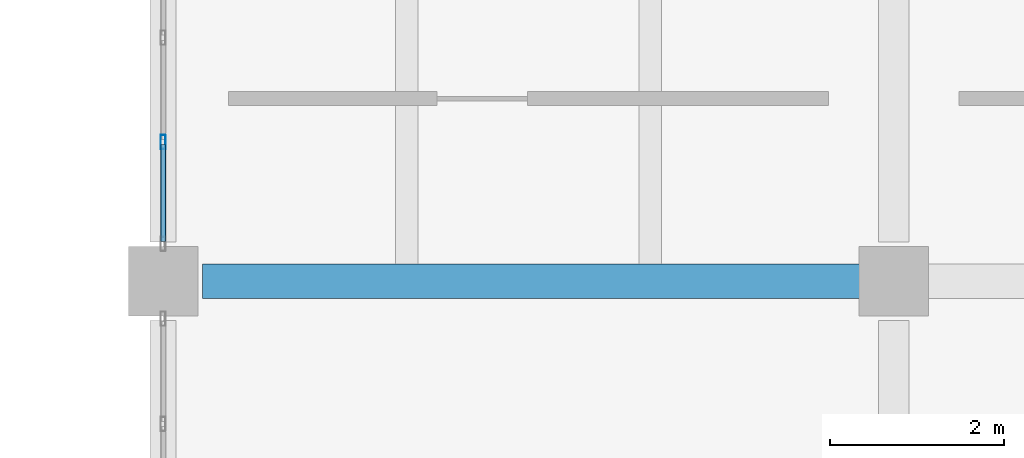
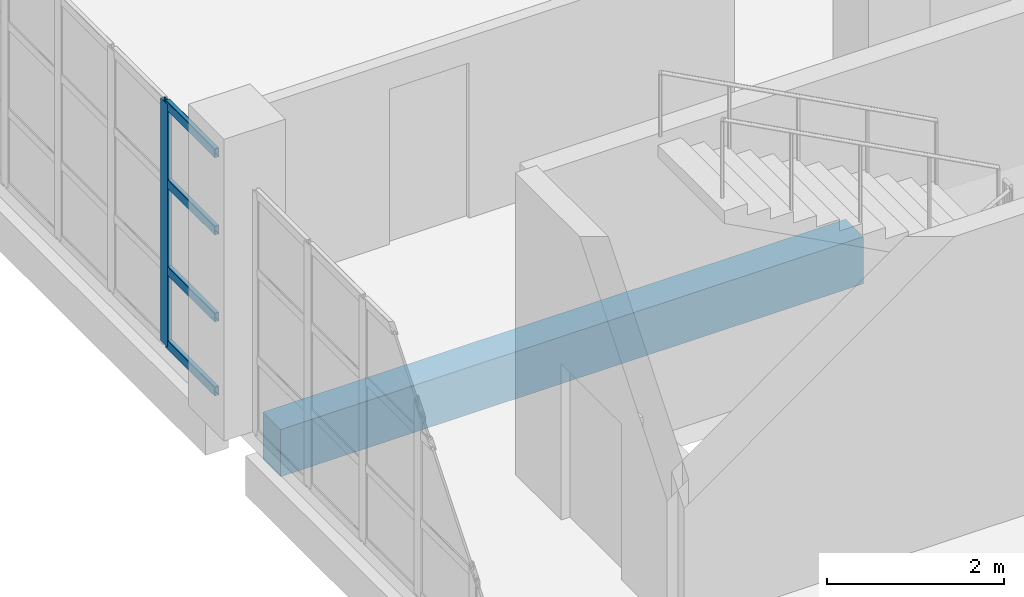
# One storey, part 16 of 177: 5 members, 1 beam, 1 element without a shape of its own.
"""IFC4 building model written with IfcOpenShell, lengths in metres."""

from ifc_helpers import new_model, si_unit, direction, frame, origin, origin_2d, place, context, subcontext, project, spatial, rectangle, hollow_rectangle, extrude, material, layer, layer_set, material_profile, profile_set, type_object, element, aggregate, save


model = new_model("IFC4")

# Units and contexts
model_context = context("Model", 3, precision=1e-05, world=origin(), true_north=direction((0.0, 1.0)))
body_context = subcontext(model_context, "Body", "Model", "MODEL_VIEW")
ifc_project = project(units=[si_unit("LENGTHUNIT", "METRE"), si_unit("AREAUNIT", "SQUARE_METRE"), si_unit("VOLUMEUNIT", "CUBIC_METRE"), si_unit("PLANEANGLEUNIT", "RADIAN"), si_unit("MASSUNIT", "GRAM", prefix="KILO"), si_unit("THERMODYNAMICTEMPERATUREUNIT", "KELVIN"), si_unit("POWERUNIT", "WATT")], contexts=[model_context])

# Site, building, storey
site_placement = place(None, origin())
site = spatial("IfcSite", under=ifc_project, at=site_placement, CompositionType="ELEMENT")
building_placement = place(site_placement, origin())
building = spatial("IfcBuilding", under=site, at=building_placement, Name="Mavoryth Pier Ferry Terminal", CompositionType="ELEMENT")
storey_placement = place(building_placement, frame((0.0, 0.0, 5.43994140625)))
storey = spatial("IfcBuildingStorey", under=building, at=storey_placement, Name="L01", CompositionType="ELEMENT", Elevation=5.43994140625)

# Beam
ifc_material_1 = material(Name="Concrete C35/45", Category="concrete")
ifc_material_profile_1 = material_profile(ifc_material_1, rectangle(XDim=0.39990234375, YDim=0.64990234375, at=origin_2d()), Name="RC 400x650", Category="concrete")
ifc_profile_set_1 = profile_set([ifc_material_profile_1], Name="Concrete C35/45 - RC 400x650")
beam_type = type_object("IfcBeamType", Name="Girder-RC-400x650", PredefinedType="BEAM", material=ifc_profile_set_1)
beam_placement = place(storey_placement, frame((42.449951171875, 14.0, -0.5849609375), z_axis=(1.0, 0.0, 0.0), x_axis=(0.0, 1.0, 0.0)))
element("IfcBeam", 1, at=beam_placement, inside=storey, type_object=beam_type, Name="Beam B01-BG05-0522", PredefinedType="BEAM", context=body_context, shape_type="SweptSolid", body=[
    extrude(rectangle(XDim=0.39990234375, YDim=0.64990234375, at=origin_2d()), origin(), (0.0, 0.0, 1.0), 7.60009765625),
])

# Curtain wall, members
ifc_material_2 = material(Name="Anodised Aluminium and Solar-Control Low-E Glass", Category="aluminium")
ifc_layer = layer(ifc_material_2, 0.239990234375, Name="Anodised Aluminium and Solar-Control Low-E Glass", Category="aluminium")
ifc_layer_set = layer_set([ifc_layer], Name="Anodised Aluminium and Solar-Control Low-E Glass - CW-Operations-Mod1200")
curtain_wall_type = type_object("IfcCurtainWallType", Name="CW-Operations-Mod1200", PredefinedType="USERDEFINED", material=ifc_layer_set)
curtain_wall_placement = place(storey_placement, origin())
curtain_wall = element("IfcCurtainWall", 2, at=curtain_wall_placement, inside=storey, type_object=curtain_wall_type, Name="Curtain Wall CW-0122-122", ObjectType="UNITISED CURTAIN WALL", PredefinedType="USERDEFINED")
ifc_material_3 = material(Name="Anodised Aluminium EN AW-6063", Category="aluminium")
ifc_material_profile_2 = material_profile(ifc_material_3, hollow_rectangle(XDim=0.06005859375, YDim=0.1650390625, WallThickness=0.00390625, InnerFilletRadius=0.00390625, OuterFilletRadius=0.008056640625, at=origin_2d()), Name="AL-MULL 165x60x4", Category="aluminium")
ifc_profile_set_2 = profile_set([ifc_material_profile_2], Name="Anodised Aluminium EN AW-6063 - AL-MULL 165x60x4")
member_type_1 = type_object("IfcMemberType", Name="Mullion-Alum-165x60", PredefinedType="MULLION", material=ifc_profile_set_2)
member_1_placement = place(storey_placement, frame((42.0, 15.60009765625, 0.0), z_axis=(0.0, 0.0, 1.0), x_axis=(1.0, 0.0, 0.0)))
member_1 = element("IfcMember", 3, at=member_1_placement, type_object=member_type_1, Name="CW06 mullion 6", PredefinedType="MULLION", context=body_context, shape_type="SweptSolid", body=[
    extrude(hollow_rectangle(XDim=0.06005859375, YDim=0.1650390625, WallThickness=0.00390625, InnerFilletRadius=0.00390625, OuterFilletRadius=0.008056640625, at=origin_2d()), origin(), (0.0, 0.0, 1.0), 3.344970703125),
])
ifc_material_profile_3 = material_profile(ifc_material_3, hollow_rectangle(XDim=0.06005859375, YDim=0.125, WallThickness=0.00390625, InnerFilletRadius=0.00390625, OuterFilletRadius=0.008056640625, at=origin_2d()), Name="AL-TRAN 125x60x4", Category="aluminium")
ifc_profile_set_3 = profile_set([ifc_material_profile_3], Name="Anodised Aluminium EN AW-6063 - AL-TRAN 125x60x4")
member_type_2 = type_object("IfcMemberType", Name="Transom-Alum-125x60", PredefinedType="USERDEFINED", material=ifc_profile_set_3)
member_2_placement = place(storey_placement, frame((42.0, 15.570068359375, 0.030029296875), z_axis=(0.0, -1.0, 0.0), x_axis=(1.0, 0.0, 0.0)))
member_2 = element("IfcMember", 4, at=member_2_placement, type_object=member_type_2, Name="CW06 transom 6.1", ObjectType="TRANSOM", PredefinedType="USERDEFINED", context=body_context, shape_type="SweptSolid", body=[
    extrude(hollow_rectangle(XDim=0.06005859375, YDim=0.125, WallThickness=0.00390625, InnerFilletRadius=0.00390625, OuterFilletRadius=0.008056640625, at=origin_2d()), origin(), (0.0, 0.0, 1.0), 1.110107421875),
])
member_3_placement = place(storey_placement, frame((42.0, 15.570068359375, 1.050048828125), z_axis=(0.0, -1.0, 0.0), x_axis=(1.0, 0.0, 0.0)))
member_3 = element("IfcMember", 5, at=member_3_placement, type_object=member_type_2, Name="CW06 transom 6.2", ObjectType="TRANSOM", PredefinedType="USERDEFINED", context=body_context, shape_type="SweptSolid", body=[
    extrude(hollow_rectangle(XDim=0.06005859375, YDim=0.125, WallThickness=0.00390625, InnerFilletRadius=0.00390625, OuterFilletRadius=0.008056640625, at=origin_2d()), origin(), (0.0, 0.0, 1.0), 1.110107421875),
])
member_4_placement = place(storey_placement, frame((42.0, 15.570068359375, 2.25), z_axis=(0.0, -1.0, 0.0), x_axis=(1.0, 0.0, 0.0)))
member_4 = element("IfcMember", 6, at=member_4_placement, type_object=member_type_2, Name="CW06 transom 6.3", ObjectType="TRANSOM", PredefinedType="USERDEFINED", context=body_context, shape_type="SweptSolid", body=[
    extrude(hollow_rectangle(XDim=0.06005859375, YDim=0.125, WallThickness=0.00390625, InnerFilletRadius=0.00390625, OuterFilletRadius=0.008056640625, at=origin_2d()), origin(), (0.0, 0.0, 1.0), 1.110107421875),
])
member_5_placement = place(storey_placement, frame((42.0, 15.570068359375, 3.31494140625), z_axis=(0.0, -1.0, 0.0), x_axis=(1.0, 0.0, 0.0)))
member_5 = element("IfcMember", 7, at=member_5_placement, type_object=member_type_2, Name="CW06 transom 6.4", ObjectType="TRANSOM", PredefinedType="USERDEFINED", context=body_context, shape_type="SweptSolid", body=[
    extrude(hollow_rectangle(XDim=0.06005859375, YDim=0.125, WallThickness=0.00390625, InnerFilletRadius=0.00390625, OuterFilletRadius=0.008056640625, at=origin_2d()), origin(), (0.0, 0.0, 1.0), 1.110107421875),
])
aggregate(curtain_wall, [member_1, member_2, member_3, member_4, member_5])

save(model, "model.ifc")
